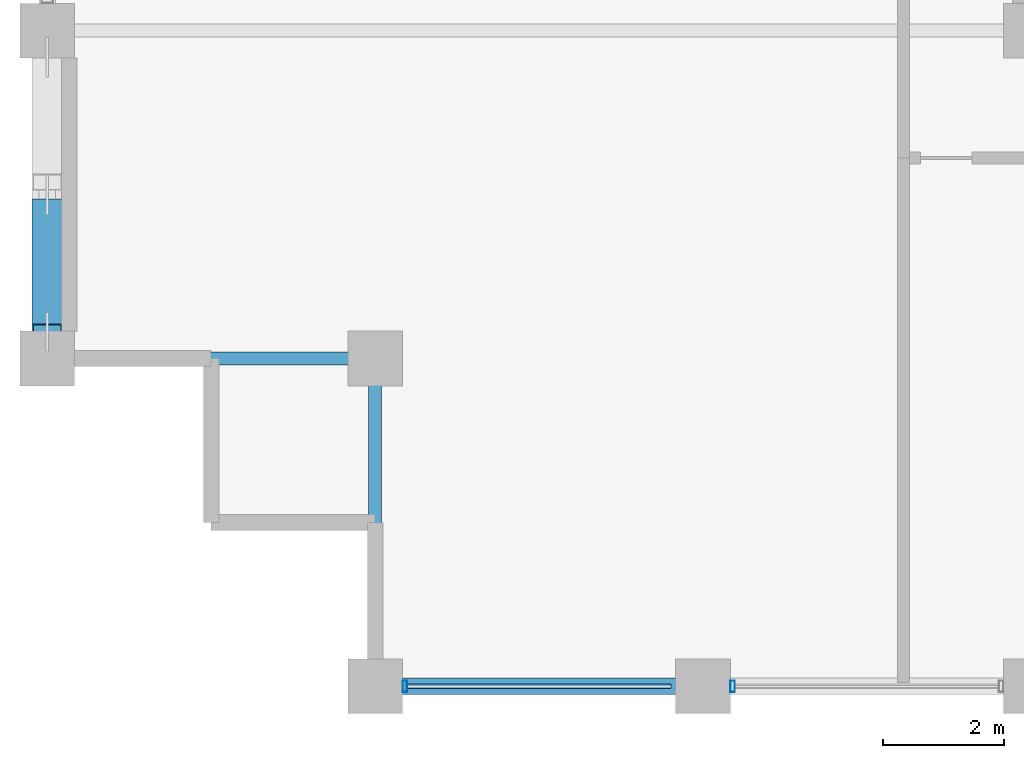
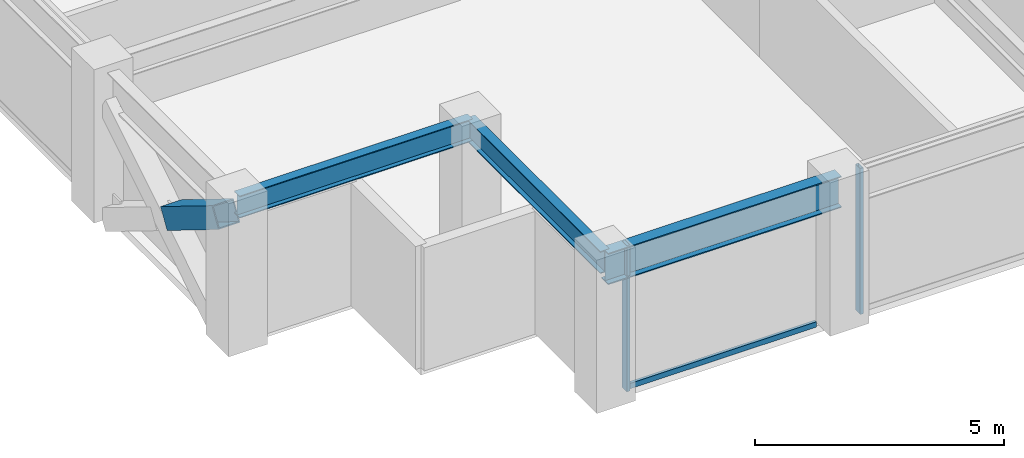
# One storey, part 2 of 32: 4 members, 3 beams, 1 element without a shape of its own.
"""IFC4 building model written with IfcOpenShell, lengths in metres."""

from ifc_helpers import new_model, si_unit, direction, frame, origin, origin_2d, place, context, subcontext, project, spatial, hollow_rectangle, i_section, extrude, material, layer, layer_set, material_profile, profile_set, type_object, element, aggregate, save


model = new_model("IFC4")

# Units and contexts
model_context = context("Model", 3, precision=1e-05, world=origin(), true_north=direction((0.0, 1.0)))
body_context = subcontext(model_context, "Body", "Model", "MODEL_VIEW")
ifc_project = project(units=[si_unit("LENGTHUNIT", "METRE"), si_unit("AREAUNIT", "SQUARE_METRE"), si_unit("VOLUMEUNIT", "CUBIC_METRE"), si_unit("PLANEANGLEUNIT", "RADIAN"), si_unit("MASSUNIT", "GRAM", prefix="KILO")], contexts=[model_context])

# Site, building, storey
site_placement = place(None, origin())
site = spatial("IfcSite", under=ifc_project, at=site_placement, CompositionType="ELEMENT")
building_placement = place(site_placement, origin())
building = spatial("IfcBuilding", under=site, at=building_placement, Name="Surkhivell Harbour Commons", CompositionType="ELEMENT")
storey_placement = place(building_placement, frame((0.0, 0.0, 212.25)))
storey = spatial("IfcBuildingStorey", under=building, at=storey_placement, Name="L55", CompositionType="ELEMENT", Elevation=212.25)

# Beams
ifc_material_1 = material(Name="Steel S355", Category="steel")
ifc_material_profile_1 = material_profile(ifc_material_1, i_section(OverallWidth=0.2119140625, OverallDepth=0.5439453125, WebThickness=0.0126953125, FlangeThickness=0.021240234375, at=origin_2d()), Name="UB533x210x122")
ifc_profile_set_1 = profile_set([ifc_material_profile_1], Name="Steel S355")
beam_type_1 = type_object("IfcBeamType", Name="BM-GRD-533A", PredefinedType="BEAM", material=ifc_profile_set_1)
beam_1_placement = place(storey_placement, frame((-27.0, -16.199951171875, 3.298095703125), z_axis=(1.0, 0.0, 0.0), x_axis=(0.0, 1.0, 0.0)))
element("IfcBeam", 1, at=beam_1_placement, inside=storey, type_object=beam_type_1, Name="L55 Floor Girder (-27.0,-16.2)", PredefinedType="BEAM", context=body_context, shape_type="SweptSolid", body=[
    extrude(i_section(OverallWidth=0.2119140625, OverallDepth=0.5439453125, WebThickness=0.0126953125, FlangeThickness=0.021240234375, at=origin_2d()), origin(), (0.0, 0.0, 1.0), 5.39990234375),
])
beam_2_placement = place(storey_placement, frame((-21.60009765625, -21.60009765625, 3.298095703125), z_axis=(0.0, 1.0, 0.0), x_axis=(-1.0, 0.0, 0.0)))
element("IfcBeam", 2, at=beam_2_placement, inside=storey, type_object=beam_type_1, Name="L55 Floor Girder (-21.6,-21.6)", PredefinedType="BEAM", context=body_context, shape_type="SweptSolid", body=[
    extrude(i_section(OverallWidth=0.2119140625, OverallDepth=0.5439453125, WebThickness=0.0126953125, FlangeThickness=0.021240234375, at=origin_2d()), origin(), (0.0, 0.0, 1.0), 5.400146484375),
])
ifc_material_profile_2 = material_profile(ifc_material_1, i_section(OverallWidth=0.26806640625, OverallDepth=0.77001953125, WebThickness=0.015625, FlangeThickness=0.025390625, at=origin_2d()), Name="UB762x267x197")
ifc_profile_set_2 = profile_set([ifc_material_profile_2], Name="Steel S355")
beam_type_2 = type_object("IfcBeamType", Name="BM-SPN-762", PredefinedType="SPANDREL", material=ifc_profile_set_2)
beam_3_placement = place(storey_placement, frame((-21.60009765625, -21.60009765625, 3.18505859375), z_axis=(1.0, 0.0, 0.0), x_axis=(0.0, 1.0, 0.0)))
element("IfcBeam", 3, at=beam_3_placement, inside=storey, type_object=beam_type_2, Name="L55 Tube Spandrel (-21.6,-21.6)", PredefinedType="SPANDREL", context=body_context, shape_type="SweptSolid", body=[
    extrude(i_section(OverallWidth=0.26806640625, OverallDepth=0.77001953125, WebThickness=0.015625, FlangeThickness=0.025390625, at=origin_2d()), origin(), (0.0, 0.0, 1.0), 5.400146484375),
])

# Curtain wall, members
ifc_material_2 = material(Name="Anodised pale-metal aluminium and insulated glazing", Category="aluminium")
ifc_layer = layer(ifc_material_2, 0.18994140625)
ifc_layer_set = layer_set([ifc_layer], Name="Anodised pale-metal aluminium and insulated glazing")
curtain_wall_type = type_object("IfcCurtainWallType", Name="CW-SYS-Z3", PredefinedType="NOTDEFINED", material=ifc_layer_set)
curtain_wall_placement = place(storey_placement, origin())
curtain_wall = element("IfcCurtainWall", 4, at=curtain_wall_placement, inside=storey, type_object=curtain_wall_type, Name="L55 Curtain Wall CW-L55-E00S1", PredefinedType="NOTDEFINED")
ifc_material_3 = material(Name="Anodised pale-metal aluminium alloy 6063-T6", Category="aluminium")
ifc_material_profile_3 = material_profile(ifc_material_3, hollow_rectangle(XDim=0.074951171875, YDim=0.18994140625, WallThickness=0.00390625, at=origin_2d()), Name="ALU-MULL-75x190")
ifc_profile_set_3 = profile_set([ifc_material_profile_3], Name="Anodised pale-metal aluminium alloy 6063-T6")
member_type_1 = type_object("IfcMemberType", Name="CWM-190", PredefinedType="MULLION", material=ifc_profile_set_3)
member_1_placement = place(storey_placement, frame((-21.110595703125, -21.60009765625, 0.0), z_axis=(0.0, 0.0, 1.0), x_axis=(1.0, 0.0, 0.0)))
member_1 = element("IfcMember", 5, at=member_1_placement, type_object=member_type_1, Name="CW-Z3 mullion 1", PredefinedType="MULLION", context=body_context, shape_type="SweptSolid", body=[
    extrude(hollow_rectangle(XDim=0.074951171875, YDim=0.18994140625, WallThickness=0.00390625, at=origin_2d()), origin(), (0.0, 0.0, 1.0), 3.570068359375),
])
member_2_placement = place(storey_placement, frame((-15.71044921875, -21.60009765625, 0.0), z_axis=(0.0, 0.0, 1.0), x_axis=(1.0, 0.0, 0.0)))
member_2 = element("IfcMember", 6, at=member_2_placement, type_object=member_type_1, Name="CW-Z3 mullion 2", PredefinedType="MULLION", context=body_context, shape_type="SweptSolid", body=[
    extrude(hollow_rectangle(XDim=0.074951171875, YDim=0.18994140625, WallThickness=0.00390625, at=origin_2d()), origin(), (0.0, 0.0, 1.0), 3.570068359375),
])
ifc_material_4 = material(Name="Champagne anodised aluminium alloy 6063-T6", Category="aluminium")
ifc_material_profile_4 = material_profile(ifc_material_4, hollow_rectangle(XDim=0.070068359375, YDim=0.1298828125, WallThickness=0.00341796875, at=origin_2d()), Name="ALU-TRAN-70x130")
ifc_profile_set_4 = profile_set([ifc_material_profile_4], Name="Champagne anodised aluminium alloy 6063-T6")
member_type_2 = type_object("IfcMemberType", Name="CWT-130", PredefinedType="USERDEFINED", material=ifc_profile_set_4)
member_3_placement = place(storey_placement, frame((-21.072998046875, -21.60009765625, 0.06494140625), z_axis=(1.0, 0.0, 0.0), x_axis=(0.0, 1.0, 0.0)))
member_3 = element("IfcMember", 7, at=member_3_placement, type_object=member_type_2, Name="CW-Z3 transom 1.1", ObjectType="TRANSOM", PredefinedType="USERDEFINED", context=body_context, shape_type="SweptSolid", body=[
    extrude(hollow_rectangle(XDim=0.070068359375, YDim=0.1298828125, WallThickness=0.00341796875, at=origin_2d()), origin(), (0.0, 0.0, 1.0), 4.345947265625),
])
aggregate(curtain_wall, [member_1, member_3, member_2])

# Member
ifc_material_5 = material(Name="Steel S460", Category="steel")
ifc_material_profile_5 = material_profile(ifc_material_5, hollow_rectangle(XDim=0.5, YDim=0.5, WallThickness=0.02490234375, at=origin_2d()), Name="SHS500x500x25")
ifc_profile_set_5 = profile_set([ifc_material_profile_5], Name="Steel S460")
member_type_3 = type_object("IfcMemberType", Name="MEM-BRC-SHS500", PredefinedType="BRACE", material=ifc_profile_set_5)
member_4_placement = place(storey_placement, frame((-27.0, -13.7041015625, 1.531982421875), z_axis=(0.0, -0.850958361341, 0.525233155146), x_axis=(1.0, 0.0, 0.0)))
element("IfcMember", 8, at=member_4_placement, inside=storey, type_object=member_type_3, Name="L55 Perimeter Mega-Brace MB- 12", PredefinedType="BRACE", context=body_context, shape_type="SweptSolid", body=[
    extrude(hollow_rectangle(XDim=0.5, YDim=0.5, WallThickness=0.02490234375, at=origin_2d()), origin(), (0.0, 0.0, 1.0), 2.421630859375),
])

save(model, "model.ifc")
